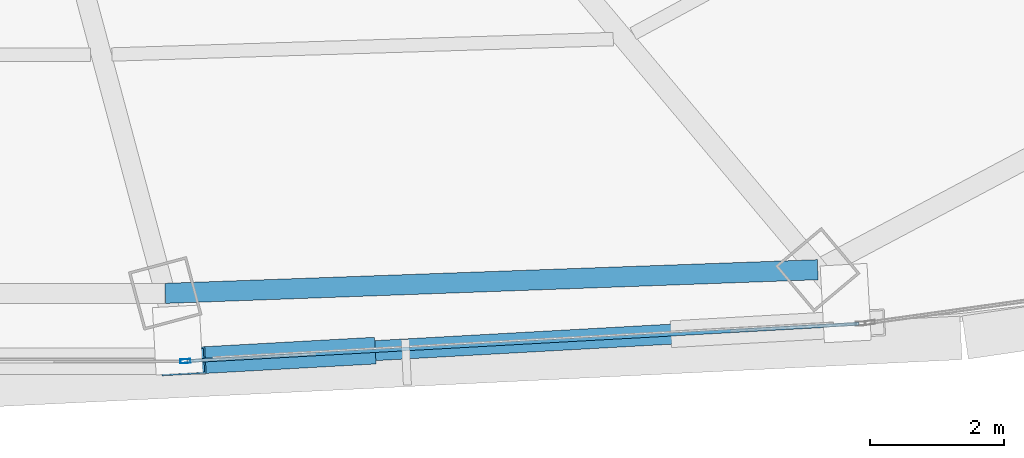
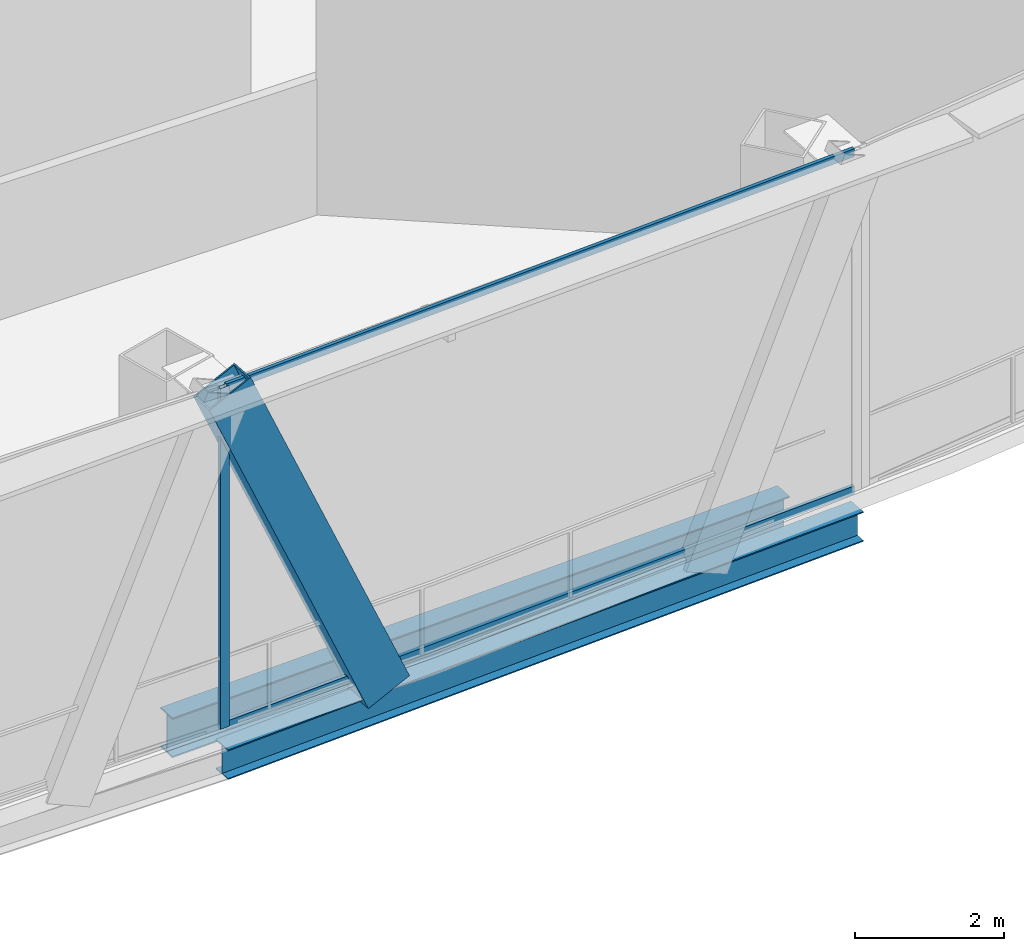
# One storey, part 12 of 38: 4 members, 2 beams, 1 element without a shape of its own.
"""IFC4 building model written with IfcOpenShell, lengths in metres."""

import ifcopenshell
import ifcopenshell.guid

model = None  # the IFC model being written
_history = None  # IfcOwnerHistory: only IFC2X3 demands one
_inside = {}  # id of a spatial element -> (the spatial element, [elements in it])
_under = {}  # id of a project, library or spatial element -> (it, [spatial elements below it])
_declared = {}  # id of a project -> (the project, [libraries it declares])
_typed = {}  # id of a type object -> (the type object, [elements of that type])
_made_of = {}  # id of a material, layer set ... -> (it, [elements and type objects made of it])


def new_model(schema):
    """Start an empty IFC model of exactly this schema.

    Asked for "IFC4X3", IfcOpenShell would pick the latest addendum, in which some entities
    have other attributes; the version numbers below select the first issue.
    IFC2X3 requires an IfcOwnerHistory on every rooted entity: one is made here for all.
    """
    global model, _history
    if schema == "IFC4X3":
        model = ifcopenshell.file(schema_version=(4, 3, 0, 0))
    else:
        model = ifcopenshell.file(schema=schema)
    _inside.clear()
    _under.clear()
    _declared.clear()
    _typed.clear()
    _made_of.clear()
    _history = None
    if model.schema == "IFC2X3":
        org = make("IfcOrganization", Name="unknown")
        user = make(
            "IfcPersonAndOrganization",
            ThePerson=make("IfcPerson", FamilyName="unknown"),
            TheOrganization=org,
        )
        app = make(
            "IfcApplication",
            ApplicationDeveloper=org,
            Version="unknown",
            ApplicationFullName="unknown",
            ApplicationIdentifier="unknown",
        )
        _history = make(
            "IfcOwnerHistory",
            OwningUser=user,
            OwningApplication=app,
            ChangeAction="ADDED",
            CreationDate=0,
        )
    return model


def make(cls, **values):
    """One entity of the class cls with the attributes given. An attribute that is None is left unset."""
    return model.create_entity(
        cls, **{name: value for name, value in values.items() if value is not None}
    )


def rooted(cls, **values):
    """An entity with a GlobalId (a new one), such as an element, a storey or a relation."""
    return make(cls, GlobalId=ifcopenshell.guid.new(), OwnerHistory=_history, **values)


def si_unit(unit_type, name, prefix=None):
    """IfcSIUnit, for example si_unit("LENGTHUNIT", "METRE", prefix="MILLI")."""
    return make("IfcSIUnit", UnitType=unit_type, Prefix=prefix, Name=name)


def assignment(units):
    """IfcUnitAssignment: the units of a project."""
    return None if units is None else make("IfcUnitAssignment", Units=units)


def point(xyz):
    """IfcCartesianPoint."""
    return None if xyz is None else make("IfcCartesianPoint", Coordinates=xyz)


def direction(xyz):
    """IfcDirection."""
    return None if xyz is None else make("IfcDirection", DirectionRatios=xyz)


def frame(location, z_axis=None, x_axis=None):
    """IfcAxis2Placement3D, a coordinate frame: its origin and axes. An axis left out is left unset."""
    return make(
        "IfcAxis2Placement3D",
        Location=point(location),
        Axis=direction(z_axis),
        RefDirection=direction(x_axis),
    )


def frame_2d(location, x_axis=None):
    """IfcAxis2Placement2D, a coordinate frame in the plane: its origin and x axis."""
    return make(
        "IfcAxis2Placement2D", Location=point(location), RefDirection=direction(x_axis)
    )


def origin():
    """The frame at (0, 0, 0) with its axes left unset."""
    return frame((0.0, 0.0, 0.0))


def origin_2d():
    """The frame at (0, 0) in the plane with its x axis left unset."""
    return frame_2d((0.0, 0.0))


def place(relative_to, where):
    """IfcLocalPlacement: puts the frame where relative to a parent placement (None: the world)."""
    return make(
        "IfcLocalPlacement", PlacementRelTo=relative_to, RelativePlacement=where
    )


def context(
    kind, dimensions, precision=None, world=None, true_north=None, identifier=None
):
    """IfcGeometricRepresentationContext, for example the 3D "Model" context."""
    return make(
        "IfcGeometricRepresentationContext",
        ContextIdentifier=identifier,
        ContextType=kind,
        CoordinateSpaceDimension=dimensions,
        Precision=precision,
        WorldCoordinateSystem=world,
        TrueNorth=true_north,
    )


def subcontext(parent, identifier, kind, view, scale=None):
    """IfcGeometricRepresentationSubContext, for example "Body" below "Model"."""
    return make(
        "IfcGeometricRepresentationSubContext",
        ContextIdentifier=identifier,
        ContextType=kind,
        ParentContext=parent,
        TargetScale=scale,
        TargetView=view,
    )


def project(units=None, contexts=None):
    """IfcProject with its units and contexts."""
    return rooted(
        "IfcProject",
        Name="project",
        RepresentationContexts=contexts,
        UnitsInContext=assignment(units),
    )


def spatial(cls, under=None, at=None, **own):
    """A site, building, storey or space (cls), placed at a placement, below another one or the project."""
    s = rooted(cls, ObjectPlacement=at, **own)
    if under is not None:
        _under.setdefault(under.id(), (under, []))[1].append(s)
    return s


def profile(cls, at=None, kind="AREA", **sizes):
    """A parametric profile (cls). Its sizes go by their IFC names, for example OverallWidth=200.0."""
    return make(cls, ProfileType=kind, Position=at, **sizes)


def hollow_rectangle(**sizes):
    """IfcRectangleHollowProfileDef."""
    return profile("IfcRectangleHollowProfileDef", **sizes)


def i_section(**sizes):
    """IfcIShapeProfileDef."""
    return profile("IfcIShapeProfileDef", **sizes)


def extrude(swept, where, along, depth):
    """IfcExtrudedAreaSolid: the profile swept, set in the frame where, extruded along a direction by depth."""
    return make(
        "IfcExtrudedAreaSolid",
        SweptArea=swept,
        Position=where,
        ExtrudedDirection=direction(along),
        Depth=depth,
    )


def shape(context_of_items, identifier, shape_type, items):
    """IfcShapeRepresentation: the items that make up one representation, for example the "Body"."""
    return make(
        "IfcShapeRepresentation",
        ContextOfItems=context_of_items,
        RepresentationIdentifier=identifier,
        RepresentationType=shape_type,
        Items=items,
    )


def source(mapping_origin, context_of_items, identifier, shape_type, items):
    """IfcRepresentationMap: a shape defined once, which mapped items show again and again."""
    return make(
        "IfcRepresentationMap",
        MappingOrigin=mapping_origin,
        MappedRepresentation=shape(context_of_items, identifier, shape_type, items),
    )


def transform(
    local_origin,
    x_axis=None,
    y_axis=None,
    z_axis=None,
    scale=None,
    scale2=None,
    scale3=None,
    uniform=True,
):
    """IfcCartesianTransformationOperator3D, or its non-uniform kind. x_axis, y_axis, z_axis: its Axis1, 2, 3."""
    if uniform:
        return make(
            "IfcCartesianTransformationOperator3D",
            Axis1=direction(x_axis),
            Axis2=direction(y_axis),
            LocalOrigin=point(local_origin),
            Scale=scale,
            Axis3=direction(z_axis),
        )
    return make(
        "IfcCartesianTransformationOperator3DnonUniform",
        Axis1=direction(x_axis),
        Axis2=direction(y_axis),
        LocalOrigin=point(local_origin),
        Scale=scale,
        Axis3=direction(z_axis),
        Scale2=scale2,
        Scale3=scale3,
    )


def mapped(mapping_source, mapping_target):
    """IfcMappedItem: shows the shape of a source again, moved by a transform."""
    return make(
        "IfcMappedItem", MappingSource=mapping_source, MappingTarget=mapping_target
    )


def material(Name=None, Category=None):
    """IfcMaterial."""
    return make("IfcMaterial", Name=Name, Category=Category)


def layer(
    of_material, thickness, ventilated=None, Name=None, Category=None, Priority=None
):
    """IfcMaterialLayer: one layer of a wall or slab, of a material (None: an air gap)."""
    return make(
        "IfcMaterialLayer",
        Material=of_material,
        LayerThickness=thickness,
        IsVentilated=ventilated,
        Name=Name,
        Category=Category,
        Priority=Priority,
    )


def layer_set(layers, Name=None):
    """IfcMaterialLayerSet."""
    return make("IfcMaterialLayerSet", MaterialLayers=layers, LayerSetName=Name)


def material_profile(
    of_material, cross_section, Name=None, Category=None, Priority=None
):
    """IfcMaterialProfile: a cross section and its material."""
    return make(
        "IfcMaterialProfile",
        Name=Name,
        Material=of_material,
        Profile=cross_section,
        Priority=Priority,
        Category=Category,
    )


def profile_set(profiles, Name=None, composite=None):
    """IfcMaterialProfileSet."""
    return make(
        "IfcMaterialProfileSet",
        Name=Name,
        MaterialProfiles=profiles,
        CompositeProfile=composite,
    )


def made_of(thing, what):
    """Note that an element or type object is made of a material, layer set ...; save() writes the relation."""
    if what is not None:
        _made_of.setdefault(what.id(), (what, []))[1].append(thing)
    return thing


def type_object(cls, material=None, **own):
    """A type object (cls), such as IfcWallType, which elements share."""
    return made_of(rooted(cls, **own), material)


def element(
    cls,
    number,
    at=None,
    inside=None,
    cuts=None,
    type_object=None,
    material=None,
    context=None,
    identifier="Body",
    shape_type=None,
    held_by="IfcProductDefinitionShape",
    body=None,
    shapes=None,
    **own,
):
    """One element of the class cls, such as IfcWall. Its Tag is "e" and its number.

    at: its placement. inside: the storey or other place that contains it. cuts: it is an
    opening in that element (IfcRelVoidsElement). A single representation is given by context,
    identifier, shape_type and body (its items); several are given by shapes. held_by: the class
    of the entity that holds the representations. save() writes the other relations.
    """
    e = rooted(cls, Tag="e%d" % number, ObjectPlacement=at, **own)
    if body is not None:
        shapes = [shape(context, identifier, shape_type, body)]
    if shapes is not None:
        e.Representation = make(held_by, Representations=shapes)
    if inside is not None:
        _inside.setdefault(inside.id(), (inside, []))[1].append(e)
    if cuts is not None:
        rooted(
            "IfcRelVoidsElement", RelatingBuildingElement=cuts, RelatedOpeningElement=e
        )
    if type_object is not None:
        _typed.setdefault(type_object.id(), (type_object, []))[1].append(e)
    return made_of(e, material)


def aggregate(whole, parts):
    """IfcRelAggregates: a whole, such as a stair, and the parts it consists of."""
    return rooted("IfcRelAggregates", RelatingObject=whole, RelatedObjects=parts)


def save(model, path):
    """Write the relations noted so far, then the file.

    IfcRelAggregates (storeys below a building ...), IfcRelContainedInSpatialStructure (elements
    in a storey), IfcRelDefinesByType, IfcRelAssociatesMaterial and IfcRelDeclares: one each for
    every whole, place, type object, material and project.
    """
    for whole, parts in _under.values():
        aggregate(whole, parts)
    for where, things in _inside.values():
        rooted(
            "IfcRelContainedInSpatialStructure",
            RelatedElements=things,
            RelatingStructure=where,
        )
    for kind, things in _typed.values():
        rooted("IfcRelDefinesByType", RelatedObjects=things, RelatingType=kind)
    for what, things in _made_of.values():
        rooted("IfcRelAssociatesMaterial", RelatedObjects=things, RelatingMaterial=what)
    for by, libraries in _declared.values():
        rooted("IfcRelDeclares", RelatingContext=by, RelatedDefinitions=libraries)
    model.write(path)


model = new_model("IFC4")

# Units and contexts
model_context = context("Model", 3, precision=1e-05, world=origin(), true_north=direction((0.0, 1.0)))
body_context = subcontext(model_context, "Body", "Model", "MODEL_VIEW")
ifc_project = project(units=[si_unit("LENGTHUNIT", "METRE"), si_unit("AREAUNIT", "SQUARE_METRE"), si_unit("VOLUMEUNIT", "CUBIC_METRE"), si_unit("PLANEANGLEUNIT", "RADIAN"), si_unit("MASSUNIT", "GRAM", prefix="KILO"), si_unit("THERMODYNAMICTEMPERATUREUNIT", "KELVIN"), si_unit("POWERUNIT", "WATT")], contexts=[model_context])

# Site, building, storey
site_placement = place(None, origin())
site = spatial("IfcSite", under=ifc_project, at=site_placement, CompositionType="ELEMENT")
building_placement = place(site_placement, origin())
building = spatial("IfcBuilding", under=site, at=building_placement, Name="Yunzhuo Pagoda Commons", CompositionType="ELEMENT")
storey_placement = place(building_placement, frame((0.0, 0.0, 218.9599609375)))
storey = spatial("IfcBuildingStorey", under=building, at=storey_placement, Name="L55", CompositionType="ELEMENT", Elevation=218.9599609375)

# Beams
ifc_material_1 = material(Name="Structural steel Q355B", Category="steel")
ifc_material_profile_1 = material_profile(ifc_material_1, i_section(OverallWidth=0.300048828125, OverallDepth=0.64990234375, WebThickness=0.012939453125, FlangeThickness=0.02197265625, at=origin_2d()), Name="Structural steel Q355B")
ifc_profile_set_1 = profile_set([ifc_material_profile_1], Name="Structural steel Q355B")
beam_type_1 = type_object("IfcBeamType", Name="B-RG2 Beam HN 650x300x13x22", PredefinedType="BEAM", material=ifc_profile_set_1)
shared_shape_1 = source(origin(), body_context, "Body", "SweptSolid", [
    extrude(i_section(OverallWidth=0.300048828125, OverallDepth=0.64990234375, WebThickness=0.012939453125, FlangeThickness=0.02197265625, at=origin_2d()), origin(), (0.0, 0.0, 1.0), 9.754638671875),
])
beam_1_placement = place(storey_placement, frame((52.712890625, 16.1123046875, -0.604736328125), z_axis=(0.999343095614, 0.036240547032, 0.0), x_axis=(-0.036240547032, 0.999343095614, 0.0)))
element("IfcBeam", 1, at=beam_1_placement, inside=storey, type_object=beam_type_1, Name="L55 column-ring beam 3", PredefinedType="BEAM", context=body_context, shape_type="MappedRepresentation", body=[
    mapped(shared_shape_1, transform((0.0, 0.0, 0.0), scale=1.0)),
])
ifc_material_profile_2 = material_profile(ifc_material_1, i_section(OverallWidth=0.300048828125, OverallDepth=0.488037109375, WebThickness=0.010986328125, FlangeThickness=0.01806640625, at=origin_2d()), Name="Structural steel Q355B")
ifc_profile_set_2 = profile_set([ifc_material_profile_2], Name="Structural steel Q355B")
beam_type_2 = type_object("IfcBeamType", Name="B-SP1 Beam HM 488x300x11x18", PredefinedType="BEAM", material=ifc_profile_set_2)
shared_shape_2 = source(origin(), body_context, "Body", "SweptSolid", [
    extrude(i_section(OverallWidth=0.300048828125, OverallDepth=0.488037109375, WebThickness=0.010986328125, FlangeThickness=0.01806640625, at=origin_2d()), origin(), (0.0, 0.0, 1.0), 10.167236328125),
])
beam_2_placement = place(storey_placement, frame((52.984375, 15.097900390625, -0.52392578125), z_axis=(0.998461756691, 0.055444751117, 0.0), x_axis=(-0.055444751117, 0.998461756691, 0.0)))
element("IfcBeam", 2, at=beam_2_placement, inside=storey, type_object=beam_type_2, Name="L55 facade edge spandrel beam F1.3", PredefinedType="BEAM", context=body_context, shape_type="MappedRepresentation", body=[
    mapped(shared_shape_2, transform((0.0, 0.0, 0.0), scale=1.0)),
])

# Member
ifc_material_profile_3 = material_profile(ifc_material_1, hollow_rectangle(XDim=0.39990234375, YDim=0.719970703125, WallThickness=0.02392578125, at=origin_2d()), Name="Structural steel Q355B")
ifc_profile_set_3 = profile_set([ifc_material_profile_3], Name="Structural steel Q355B")
member_type_1 = type_object("IfcMemberType", Name="M-DL2 Brace BOX 720x400x24", PredefinedType="BRACE", material=ifc_profile_set_3)
shared_shape_3 = source(origin(), body_context, "Body", "SweptSolid", [
    extrude(hollow_rectangle(XDim=0.39990234375, YDim=0.719970703125, WallThickness=0.02392578125, at=origin_2d()), origin(), (0.0, 0.0, 1.0), 6.37841796875),
])
member_1_placement = place(storey_placement, frame((55.522216796875, 15.239013671875, -0.280029296875), z_axis=(-0.397879601145, -0.022123560314, 0.917170851625), x_axis=(0.05551789765, -0.998457692164, 0.0)))
element("IfcMember", 3, at=member_1_placement, inside=storey, type_object=member_type_1, Name="L55 facade diamond brace F1.3L", PredefinedType="BRACE", context=body_context, shape_type="MappedRepresentation", body=[
    mapped(shared_shape_3, transform((0.0, 0.0, 0.0), scale=1.0)),
])

# Curtain wall, members
ifc_material_2 = material(Name="Anodized aluminium 6063-T6", Category="aluminium")
ifc_layer = layer(ifc_material_2, 0.14990234375)
ifc_layer_set = layer_set([ifc_layer], Name="Anodized aluminium 6063-T6")
curtain_wall_type = type_object("IfcCurtainWallType", Name="CW-MID Mid-Zone Ribbon Curtain Wall", PredefinedType="NOTDEFINED", material=ifc_layer_set)
curtain_wall_placement = place(storey_placement, origin())
curtain_wall = element("IfcCurtainWall", 4, at=curtain_wall_placement, inside=storey, type_object=curtain_wall_type, Name="L55 curtain wall CW-L55-F1B4", PredefinedType="NOTDEFINED")
ifc_material_profile_4 = material_profile(ifc_material_2, hollow_rectangle(XDim=0.06005859375, YDim=0.14990234375, WallThickness=0.00390625, at=origin_2d()), Name="Anodized aluminium 6063-T6")
ifc_profile_set_4 = profile_set([ifc_material_profile_4], Name="Anodized aluminium 6063-T6")
member_type_2 = type_object("IfcMemberType", Name="CW-MID-M Mullion RHS 150x60x4", PredefinedType="MULLION", material=ifc_profile_set_4)
shared_shape_4 = source(origin(), body_context, "Body", "SweptSolid", [
    extrude(hollow_rectangle(XDim=0.06005859375, YDim=0.14990234375, WallThickness=0.00390625, at=origin_2d()), origin(), (0.0, 0.0, 1.0), 5.570068359375),
])
member_2_placement = place(storey_placement, frame((53.014404296875, 15.099609375, 0.0), z_axis=(0.0, 0.0, 1.0), x_axis=(-0.055422627941, 0.998462984948, 0.0)))
member_2 = element("IfcMember", 5, at=member_2_placement, type_object=member_type_2, Name="CW mullion 1", PredefinedType="MULLION", context=body_context, shape_type="MappedRepresentation", body=[
    mapped(shared_shape_4, transform((0.0, 0.0, 0.0), scale=1.0)),
])
ifc_material_profile_5 = material_profile(ifc_material_2, hollow_rectangle(XDim=0.054931640625, YDim=0.1298828125, WallThickness=0.00341796875, at=origin_2d()), Name="Anodized aluminium 6063-T6")
ifc_profile_set_5 = profile_set([ifc_material_profile_5], Name="Anodized aluminium 6063-T6")
member_type_3 = type_object("IfcMemberType", Name="CW-MID-T Transom RHS 130x55x3.5", PredefinedType="USERDEFINED", material=ifc_profile_set_5)
shared_shape_5 = source(origin(), body_context, "Body", "SweptSolid", [
    extrude(hollow_rectangle(XDim=0.054931640625, YDim=0.1298828125, WallThickness=0.00341796875, at=origin_2d()), origin(), (0.0, 0.0, 1.0), 10.047119140625),
])
member_3_placement = place(storey_placement, frame((53.04443359375, 15.101318359375, 0.027587890625), z_axis=(0.998462744834, 0.05542695354, 0.0), x_axis=(-0.05542695354, 0.998462744834, 0.0)))
member_3 = element("IfcMember", 6, at=member_3_placement, type_object=member_type_3, Name="CW transom 1.1", ObjectType="TRANSOM", PredefinedType="USERDEFINED", context=body_context, shape_type="MappedRepresentation", body=[
    mapped(shared_shape_5, transform((0.0, 0.0, 0.0), scale=1.0)),
])
member_4_placement = place(storey_placement, frame((53.04443359375, 15.101318359375, 5.54248046875), z_axis=(0.998462744834, 0.05542695354, 0.0), x_axis=(-0.05542695354, 0.998462744834, 0.0)))
member_4 = element("IfcMember", 7, at=member_4_placement, type_object=member_type_3, Name="CW transom 1.2", ObjectType="TRANSOM", PredefinedType="USERDEFINED", context=body_context, shape_type="MappedRepresentation", body=[
    mapped(shared_shape_5, transform((0.0, 0.0, 0.0), scale=1.0)),
])
aggregate(curtain_wall, [member_2, member_3, member_4])

save(model, "model.ifc")
